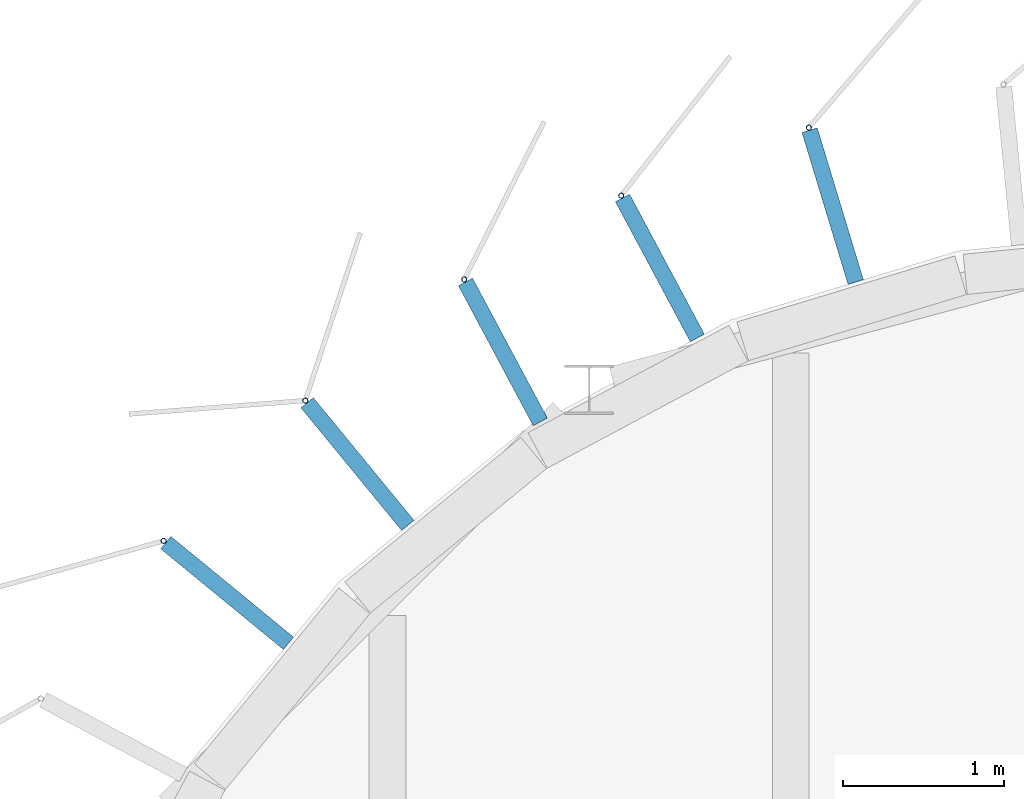
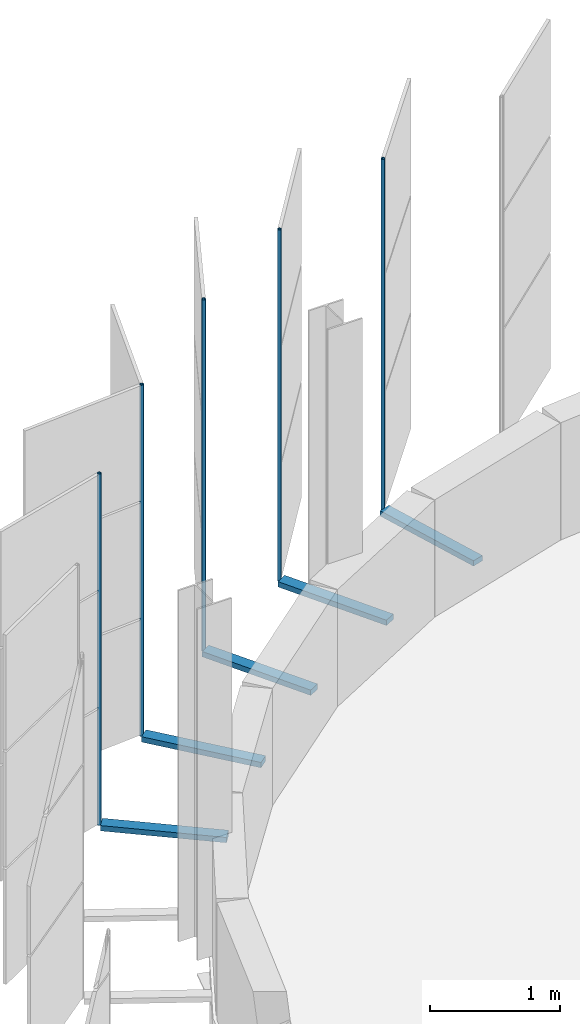
# One storey, part 133 of 199: 10 discrete accessories.
"""IFC4 building model written with IfcOpenShell, lengths in metres."""

from ifc_helpers import new_model, si_unit, direction, frame, origin, origin_2d, place, context, subcontext, project, spatial, rectangle, hollow_circle, extrude, material, material_profile, profile_set, type_object, element, save


model = new_model("IFC4")

# Units and contexts
model_context = context("Model", 3, precision=1e-05, world=origin(), true_north=direction((0.0, 1.0)))
body_context = subcontext(model_context, "Body", "Model", "MODEL_VIEW")
ifc_project = project(units=[si_unit("LENGTHUNIT", "METRE"), si_unit("AREAUNIT", "SQUARE_METRE"), si_unit("VOLUMEUNIT", "CUBIC_METRE"), si_unit("PLANEANGLEUNIT", "RADIAN"), si_unit("MASSUNIT", "GRAM", prefix="KILO")], contexts=[model_context])

# Site, building, storey
site_placement = place(None, origin())
site = spatial("IfcSite", under=ifc_project, at=site_placement, CompositionType="ELEMENT")
building_placement = place(site_placement, origin())
building = spatial("IfcBuilding", under=site, at=building_placement, Name="Parallax Yard Mobility Hub", CompositionType="ELEMENT")
storey_placement = place(building_placement, frame((0.0, 0.0, 9.89990234375)))
storey = spatial("IfcBuildingStorey", under=building, at=storey_placement, Name="L03", CompositionType="ELEMENT", Elevation=9.89990234375)

# Discrete accessories
ifc_material_1 = material(Name="Steel ASTM A36, hot-dip galvanised", Category="steel")
discrete_accessory_type_1 = type_object("IfcDiscreteAccessoryType", Name="Hinge bracket plate 100x50", PredefinedType="BRACKET", material=ifc_material_1)
for number, where, z_axis, x_axis, name in (
    (1, (27.75927734375, 142.6337890625, -0.02490234375), (0.0, 0.0, 1.0), (-0.290284677254, 0.956940335732, 0.0), "Hinge bracket plate bay 70.3 level L03"),
    (2, (26.6884765625, 142.25048828125, -0.02490234375), (0.0, 0.0, 1.0), (-0.471396736826, 0.881921264348, 0.0), "Hinge bracket plate bay 70.4 level L03"),
    (3, (25.715087890625, 141.730224609375, -0.02490234375), (0.0, 0.0, 1.0), (-0.471396736826, 0.881921264348, 0.0), "Hinge bracket plate bay 70.5 level L03"),
    (4, (24.813720703125, 141.03515625, -0.02490234375), (0.0, 0.0, 1.0), (-0.634393284164, 0.773010453363, 0.0), "Hinge bracket plate bay 70.6 level L03"),
    (5, (24.005859375, 140.236328125, -0.02490234375), (0.0, 0.0, 1.0), (-0.773010453363, 0.634393284164, 0.0), "Hinge bracket plate bay 70.7 level L03"),
):
    element("IfcDiscreteAccessory", number, at=place(storey_placement, frame(where, z_axis=z_axis, x_axis=x_axis)), inside=storey, type_object=discrete_accessory_type_1, Name=name, PredefinedType="BRACKET", context=body_context, shape_type="SweptSolid", body=[
        extrude(rectangle(XDim=0.984130859375, YDim=0.10009765625, at=origin_2d()), origin(), (0.0, 0.0, 1.0), 0.050048828125),
    ])
ifc_material_2 = material(Name="Steel ASTM A500 Gr C, hot-dip galvanised", Category="steel")
ifc_material_profile = material_profile(ifc_material_2, hollow_circle(Radius=0.016845703125, WallThickness=0.003173828125, at=origin_2d()), Name="CHS 33.7x3.2")
ifc_profile_set = profile_set([ifc_material_profile], Name="Steel ASTM A500 Gr C, hot-dip galvanised")
discrete_accessory_type_2 = type_object("IfcDiscreteAccessoryType", Name="Hinge post CHS 33.7x3.2", PredefinedType="BRACKET", material=ifc_profile_set)
for number, where, z_axis, x_axis, name in (
    (6, (27.611572265625, 143.1201171875, 0.0), (0.0, 0.0, 1.0), (1.0, 0.0, 0.0), "Hinge post bay 70.3 level L03"),
    (7, (26.44873046875, 142.698974609375, 0.0), (0.0, 0.0, 1.0), (1.0, 0.0, 0.0), "Hinge post bay 70.4 level L03"),
    (8, (25.4755859375, 142.1787109375, 0.0), (0.0, 0.0, 1.0), (1.0, 0.0, 0.0), "Hinge post bay 70.5 level L03"),
    (9, (24.490966796875, 141.427978515625, 0.0), (0.0, 0.0, 1.0), (1.0, 0.0, 0.0), "Hinge post bay 70.6 level L03"),
    (10, (23.61279296875, 140.55908203125, 0.0), (0.0, 0.0, 1.0), (1.0, 0.0, 0.0), "Hinge post bay 70.7 level L03"),
):
    element("IfcDiscreteAccessory", number, at=place(storey_placement, frame(where, z_axis=z_axis, x_axis=x_axis)), inside=storey, type_object=discrete_accessory_type_2, Name=name, PredefinedType="BRACKET", context=body_context, shape_type="SweptSolid", body=[
        extrude(hollow_circle(Radius=0.016845703125, WallThickness=0.003173828125, at=origin_2d()), origin(), (0.0, 0.0, 1.0), 3.300048828125),
    ])

save(model, "model.ifc")
